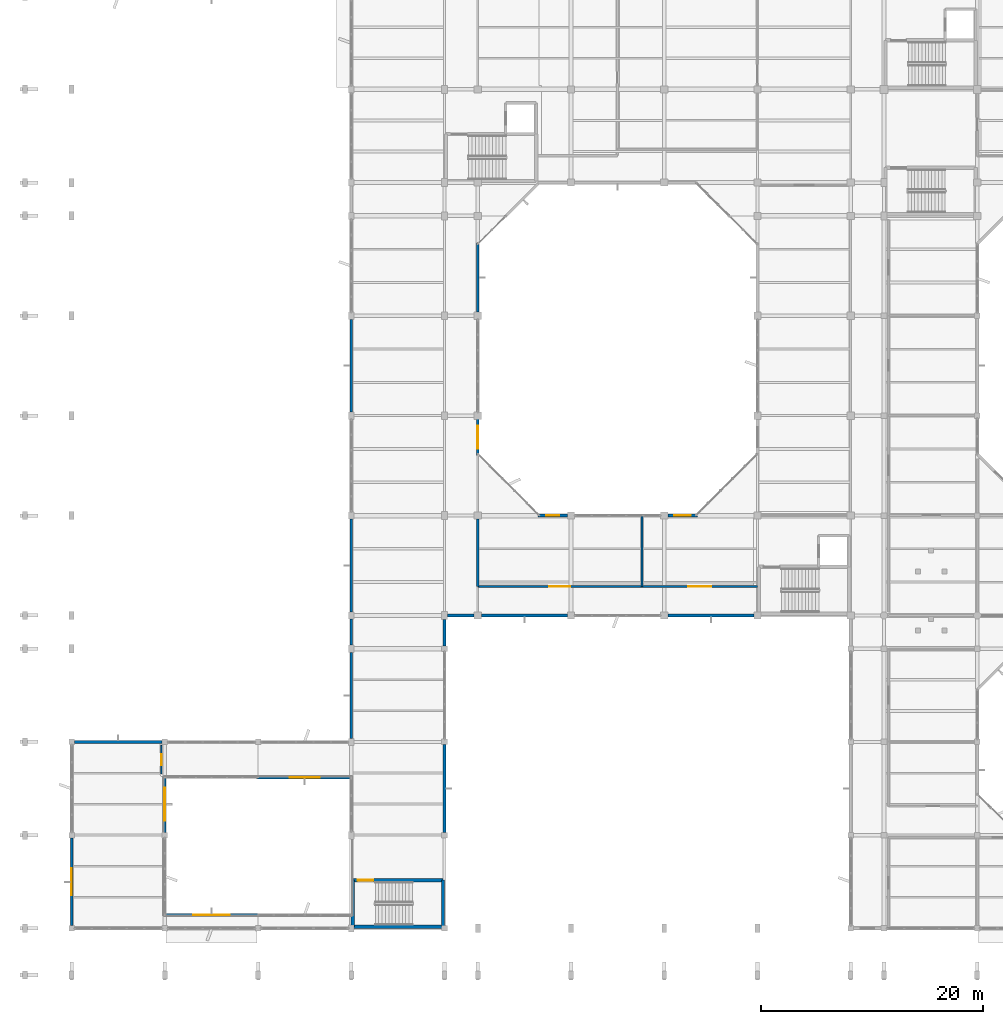
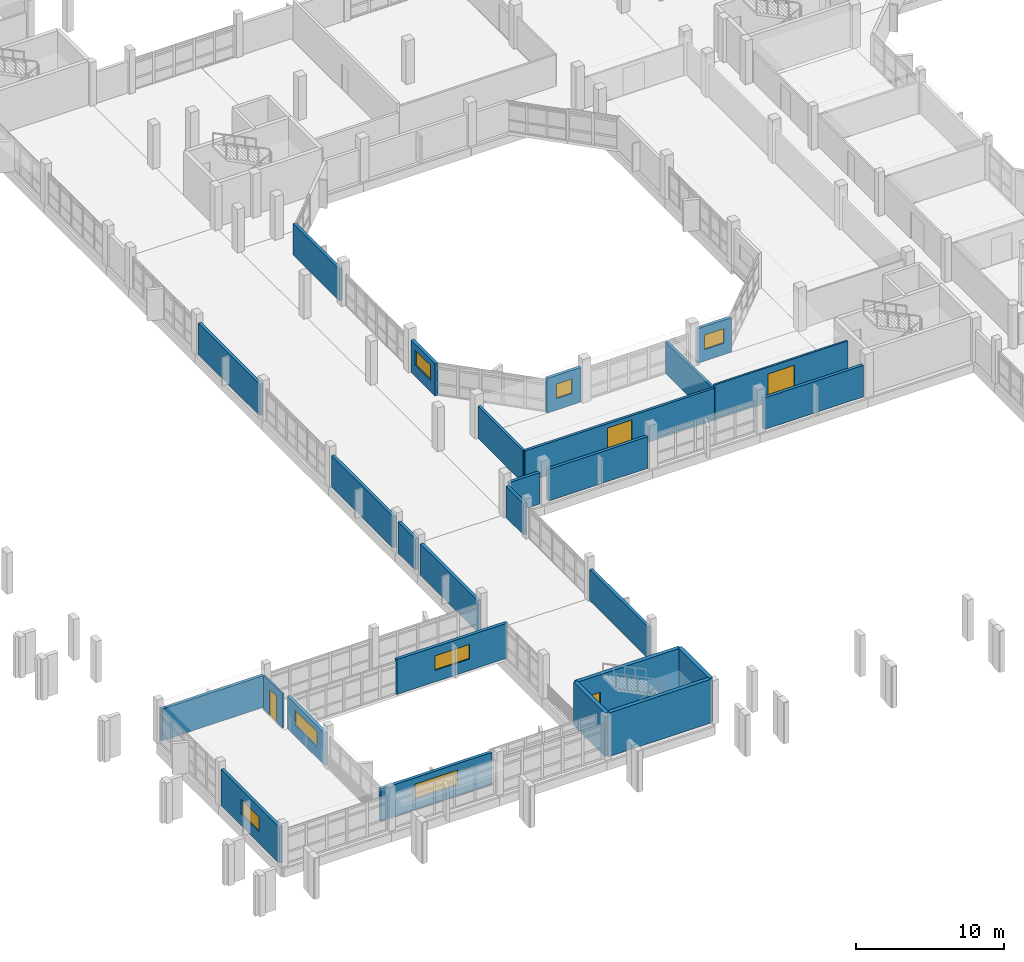
# One storey, part 65 of 104: 27 walls, 7 windows, 4 doors, 11 openings.
"""IFC4 building model written with IfcOpenShell, lengths in metres."""

from ifc_helpers import new_model, si_unit, direction, frame, frame_2d, origin, place, context, subcontext, project, spatial, rectangle, extrude, material, layer, layer_set, type_object, element, fill, save


model = new_model("IFC4")

# Units and contexts
model_context = context("Model", 3, precision=1e-05, world=origin(), true_north=direction((0.0, 1.0)))
body_context = subcontext(model_context, "Body", "Model", "MODEL_VIEW")
ifc_project = project(units=[si_unit("LENGTHUNIT", "METRE"), si_unit("AREAUNIT", "SQUARE_METRE"), si_unit("VOLUMEUNIT", "CUBIC_METRE"), si_unit("PLANEANGLEUNIT", "RADIAN"), si_unit("MASSUNIT", "GRAM", prefix="KILO")], contexts=[model_context])

# Site, building, storey
site_placement = place(None, origin())
site = spatial("IfcSite", under=ifc_project, at=site_placement, CompositionType="ELEMENT")
building_placement = place(site_placement, origin())
building = spatial("IfcBuilding", under=site, at=building_placement, Name="Vanh Quang Courtyard School", CompositionType="ELEMENT")
storey_placement = place(building_placement, frame((0.0, 0.0, 4.199951171875)))
storey = spatial("IfcBuildingStorey", under=building, at=storey_placement, Name="L01", CompositionType="ELEMENT", Elevation=4.199951171875)

# Wall
ifc_material_1 = material(Name="Concrete C30/37", Category="concrete")
ifc_layer_1 = layer(ifc_material_1, 0.199951171875)
ifc_layer_set_1 = layer_set([ifc_layer_1], Name="Concrete C30/37")
wall_type_1 = type_object("IfcWallType", Name="W-COMP-200", PredefinedType="PARTITIONING", material=ifc_layer_set_1)
wall_1_placement = place(storey_placement, frame((55.60009765625, 41.39990234375, 0.0), z_axis=(0.0, 0.0, 1.0), x_axis=(0.0, -1.0, 0.0)))
element("IfcWall", 1, at=wall_1_placement, inside=storey, type_object=wall_type_1, Name="Wall W-COMP1 (L01)", PredefinedType="PARTITIONING", context=body_context, shape_type="SweptSolid", body=[
    extrude(rectangle(XDim=6.39990234375, YDim=0.199951171875, at=frame_2d((3.199951171875, 0.0))), origin(), (0.0, 0.0, 1.0), 2.60009765625),
])

# Wall, opening, door
wall_2_placement = place(storey_placement, frame((55.60009765625, 35.0, 0.0), z_axis=(0.0, 0.0, 1.0), x_axis=(-1.0, 0.0, 0.0)))
wall_2 = element("IfcWall", 2, at=wall_2_placement, inside=storey, type_object=wall_type_1, Name="Wall W-COMP1 (L01)", PredefinedType="PARTITIONING", context=body_context, shape_type="SweptSolid", body=[
    extrude(rectangle(XDim=14.800048828125, YDim=0.199951171875, at=frame_2d((7.39990234375, 0.0))), origin(), (0.0, 0.0, 1.0), 2.650146484375),
])
opening_1_placement = place(wall_2_placement, frame((6.449951171875, 0.0, 0.0)))
opening_1 = element("IfcOpeningElement", 3, at=opening_1_placement, cuts=wall_2, Name="Opening L01-D058", PredefinedType="OPENING", context=body_context, shape_type="SweptSolid", body=[
    extrude(rectangle(XDim=1.89990234375, YDim=2.300048828125, at=frame_2d((0.949951171875, 1.14990234375))), frame((0.0, 0.10986328125, 0.0), z_axis=(0.0, -1.0, 0.0), x_axis=(1.0, 0.0, 0.0)), (0.0, 0.0, 1.0), 0.219970703125),
])
ifc_material_2 = material(Name="Painted galvanised steel fire door", Category="steel")
door_type_1 = type_object("IfcDoorType", Name="IDR-HAL-1900x2300", OperationType="NOTDEFINED", PredefinedType="DOOR", material=ifc_material_2)
door_1_placement = place(opening_1_placement, origin())
door_1 = element("IfcDoor", 4, at=door_1_placement, inside=storey, type_object=door_type_1, Name="Door L01-D058 (L01)", OperationType="DOUBLE_DOOR_SINGLE_SWING", OverallHeight=2.300048828125, OverallWidth=1.89990234375, PredefinedType="DOOR", context=body_context, shape_type="SweptSolid", body=[
    extrude(rectangle(XDim=1.89990234375, YDim=2.300048828125, at=frame_2d((0.949951171875, 1.14990234375))), frame((0.0, 0.02490234375, 0.0), z_axis=(0.0, -1.0, 0.0), x_axis=(1.0, 0.0, 0.0)), (0.0, 0.0, 1.0), 0.050048828125),
])
fill(opening_1, door_1)

# Walls
wall_3_placement = place(storey_placement, frame((40.800048828125, 35.0, 0.0), z_axis=(0.0, 0.0, 1.0), x_axis=(0.0, 1.0, 0.0)))
element("IfcWall", 5, at=wall_3_placement, inside=storey, type_object=wall_type_1, Name="Wall W-COMP1 (L01)", PredefinedType="PARTITIONING", context=body_context, shape_type="SweptSolid", body=[
    extrude(rectangle(XDim=6.076904296875, YDim=0.199951171875, at=frame_2d((3.03857421875, 0.0))), origin(), (0.0, 0.0, 1.0), 2.650146484375),
])
ifc_material_3 = material(Name="Concrete C35/45", Category="concrete")
ifc_layer_2 = layer(ifc_material_3, 0.300048828125)
ifc_layer_set_2 = layer_set([ifc_layer_2], Name="Concrete C35/45")
wall_type_2 = type_object("IfcWallType", Name="W-CORE-300", PredefinedType="SHEAR", material=ifc_layer_set_2)
wall_4_placement = place(storey_placement, frame((29.5400390625, 4.340087890625, 0.0), z_axis=(0.0, 0.0, 1.0), x_axis=(1.0, 0.0, 0.0)))
element("IfcWall", 6, at=wall_4_placement, inside=storey, type_object=wall_type_2, Name="Wall W-CORE1 (L01)", PredefinedType="SHEAR", context=body_context, shape_type="SweptSolid", body=[
    extrude(rectangle(XDim=8.119873046875, YDim=0.300048828125, at=frame_2d((4.06005859375, 0.0))), origin(), (0.0, 0.0, 1.0), 3.60009765625),
])
wall_5_placement = place(storey_placement, frame((37.659912109375, 4.340087890625, 0.0), z_axis=(0.0, 0.0, 1.0), x_axis=(0.0, 1.0, 0.0)))
element("IfcWall", 7, at=wall_5_placement, inside=storey, type_object=wall_type_2, Name="Wall W-CORE1 (L01)", PredefinedType="SHEAR", context=body_context, shape_type="SweptSolid", body=[
    extrude(rectangle(XDim=4.199951171875, YDim=0.300048828125, at=frame_2d((2.10009765625, 0.0))), origin(), (0.0, 0.0, 1.0), 3.60009765625),
])

# Wall, opening, door
wall_6_placement = place(storey_placement, frame((37.659912109375, 8.5400390625, 0.0), z_axis=(0.0, 0.0, 1.0), x_axis=(-1.0, 0.0, 0.0)))
wall_6 = element("IfcWall", 8, at=wall_6_placement, inside=storey, type_object=wall_type_2, Name="Wall W-CORE1 (L01)", PredefinedType="SHEAR", context=body_context, shape_type="SweptSolid", body=[
    extrude(rectangle(XDim=8.119873046875, YDim=0.300048828125, at=frame_2d((4.06005859375, 0.0))), origin(), (0.0, 0.0, 1.0), 3.60009765625),
])
opening_2_placement = place(wall_6_placement, frame((6.27001953125, 0.0, 0.0)))
opening_2 = element("IfcOpeningElement", 9, at=opening_2_placement, cuts=wall_6, Name="Opening L01-DS6", PredefinedType="OPENING", context=body_context, shape_type="SweptSolid", body=[
    extrude(rectangle(XDim=1.419921875, YDim=2.14990234375, at=frame_2d((0.7099609375, 1.074951171875))), frame((0.0, 0.16015625, 0.0), z_axis=(0.0, -1.0, 0.0), x_axis=(1.0, 0.0, 0.0)), (0.0, 0.0, 1.0), 0.320068359375),
])
door_type_2 = type_object("IfcDoorType", Name="IDR-ST-1420x2150", OperationType="NOTDEFINED", PredefinedType="DOOR", material=ifc_material_2)
door_2_placement = place(opening_2_placement, frame((1.419921875, 0.0, 0.0), z_axis=(0.0, 0.0, 1.0), x_axis=(-1.0, 0.0, 0.0)))
door_2 = element("IfcDoor", 10, at=door_2_placement, inside=storey, type_object=door_type_2, Name="Door L01-DS6 (L01)", OperationType="SINGLE_SWING_RIGHT", OverallHeight=2.14990234375, OverallWidth=1.419921875, PredefinedType="DOOR", context=body_context, shape_type="SweptSolid", body=[
    extrude(rectangle(XDim=1.419921875, YDim=2.14990234375, at=frame_2d((0.7099609375, 1.074951171875))), frame((0.0, 0.02490234375, 0.0), z_axis=(0.0, -1.0, 0.0), x_axis=(1.0, 0.0, 0.0)), (0.0, 0.0, 1.0), 0.050048828125),
])
fill(opening_2, door_2)

# Walls
wall_7_placement = place(storey_placement, frame((29.5400390625, 8.5400390625, 0.0), z_axis=(0.0, 0.0, 1.0), x_axis=(0.0, -1.0, 0.0)))
element("IfcWall", 11, at=wall_7_placement, inside=storey, type_object=wall_type_2, Name="Wall W-CORE1 (L01)", PredefinedType="SHEAR", context=body_context, shape_type="SweptSolid", body=[
    extrude(rectangle(XDim=4.199951171875, YDim=0.300048828125, at=frame_2d((2.10009765625, 0.0))), origin(), (0.0, 0.0, 1.0), 3.60009765625),
])
ifc_material_4 = material(Name="Precast concrete C40/50", Category="concrete")
ifc_layer_3 = layer(ifc_material_4, 0.239990234375)
ifc_layer_set_3 = layer_set([ifc_layer_3], Name="Precast concrete C40/50")
wall_type_3 = type_object("IfcWallType", Name="W-EXT-240", PredefinedType="SOLIDWALL", material=ifc_layer_set_3)
wall_8_placement = place(storey_placement, frame((29.39990234375, 21.322998046875, 0.0), z_axis=(0.0, 0.0, 1.0), x_axis=(0.0, 1.0, 0.0)))
element("IfcWall", 12, at=wall_8_placement, inside=storey, type_object=wall_type_3, Name="Wall WE-03 (L01)", PredefinedType="SOLIDWALL", context=body_context, shape_type="SweptSolid", body=[
    extrude(rectangle(XDim=7.75390625, YDim=0.239990234375, at=frame_2d((3.876953125, 0.0))), origin(), (0.0, 0.0, 1.0), 2.580078125),
])
wall_9_placement = place(storey_placement, frame((29.39990234375, 29.722900390625, 0.0), z_axis=(0.0, 0.0, 1.0), x_axis=(0.0, 1.0, 0.0)))
element("IfcWall", 13, at=wall_9_placement, inside=storey, type_object=wall_type_3, Name="Wall WE-03 (L01)", PredefinedType="SOLIDWALL", context=body_context, shape_type="SweptSolid", body=[
    extrude(rectangle(XDim=2.35400390625, YDim=0.239990234375, at=frame_2d((1.177001953125, 0.0))), origin(), (0.0, 0.0, 1.0), 2.580078125),
])
for number, where, z_axis, x_axis, name in (
    (14, (29.39990234375, 32.722900390625, 0.0), (0.0, 0.0, 1.0), (0.0, 1.0, 0.0), "Wall WE-03 (L01)"),
    (15, (29.39990234375, 50.722900390625, 0.0), (0.0, 0.0, 1.0), (0.0, 1.0, 0.0), "Wall WE-03 (L01)"),
):
    element("IfcWall", number, at=place(storey_placement, frame(where, z_axis=z_axis, x_axis=x_axis)), inside=storey, type_object=wall_type_3, Name=name, PredefinedType="SOLIDWALL", context=body_context, shape_type="SweptSolid", body=[
        extrude(rectangle(XDim=8.35400390625, YDim=0.239990234375, at=frame_2d((4.177001953125, 0.0))), origin(), (0.0, 0.0, 1.0), 2.580078125),
    ])
for number, where, z_axis, x_axis, name in (
    (16, (65.677001953125, 32.39990234375, 0.0), (0.0, 0.0, 1.0), (-1.0, 0.0, 0.0), "Wall WE-03 (L01)"),
    (17, (48.876953125, 32.39990234375, 0.0), (0.0, 0.0, 1.0), (-1.0, 0.0, 0.0), "Wall WE-03 (L01)"),
):
    element("IfcWall", number, at=place(storey_placement, frame(where, z_axis=z_axis, x_axis=x_axis)), inside=storey, type_object=wall_type_3, Name=name, PredefinedType="SOLIDWALL", context=body_context, shape_type="SweptSolid", body=[
        extrude(rectangle(XDim=7.75390625, YDim=0.239990234375, at=frame_2d((3.876953125, 0.0))), origin(), (0.0, 0.0, 1.0), 2.60009765625),
    ])
for number, where, z_axis, x_axis, name in (
    (18, (40.47705078125, 32.39990234375, 0.0), (0.0, 0.0, 1.0), (-1.0, 0.0, 0.0), "Wall WE-03 (L01)"),
    (19, (37.800048828125, 32.052001953125, 0.0), (0.0, 0.0, 1.0), (0.0, -1.0, 0.0), "Wall WE-03 (L01)"),
):
    element("IfcWall", number, at=place(storey_placement, frame(where, z_axis=z_axis, x_axis=x_axis)), inside=storey, type_object=wall_type_3, Name=name, PredefinedType="SOLIDWALL", context=body_context, shape_type="SweptSolid", body=[
        extrude(rectangle(XDim=2.404052734375, YDim=0.239990234375, at=frame_2d((1.2021484375, 0.0))), origin(), (0.0, 0.0, 1.0), 2.580078125),
    ])
wall_10_placement = place(storey_placement, frame((37.800048828125, 20.751953125, 0.0), z_axis=(0.0, 0.0, 1.0), x_axis=(0.0, -1.0, 0.0)))
element("IfcWall", 20, at=wall_10_placement, inside=storey, type_object=wall_type_3, Name="Wall WE-03 (L01)", PredefinedType="SOLIDWALL", context=body_context, shape_type="SweptSolid", body=[
    extrude(rectangle(XDim=7.904052734375, YDim=0.239990234375, at=frame_2d((3.9521484375, 0.0))), origin(), (0.0, 0.0, 1.0), 2.580078125),
])

# Wall, opening, window
wall_11_placement = place(storey_placement, frame((4.199951171875, 4.447998046875, 0.0), z_axis=(0.0, 0.0, 1.0), x_axis=(0.0, 1.0, 0.0)))
wall_11 = element("IfcWall", 21, at=wall_11_placement, inside=storey, type_object=wall_type_3, Name="Wall WE-03 (L01)", PredefinedType="SOLIDWALL", context=body_context, shape_type="SweptSolid", body=[
    extrude(rectangle(XDim=7.904052734375, YDim=0.239990234375, at=frame_2d((3.9521484375, 0.0))), origin(), (0.0, 0.0, 1.0), 2.9599609375),
])
opening_3_placement = place(wall_11_placement, frame((2.751953125, 0.0, 0.949951171875)))
opening_3 = element("IfcOpeningElement", 22, at=opening_3_placement, cuts=wall_11, Name="Opening WN-05", PredefinedType="OPENING", context=body_context, shape_type="SweptSolid", body=[
    extrude(rectangle(XDim=2.39990234375, YDim=1.199951171875, at=frame_2d((1.199951171875, 0.60009765625))), frame((0.0, 0.1298828125, 0.0), z_axis=(0.0, -1.0, 0.0), x_axis=(1.0, 0.0, 0.0)), (0.0, 0.0, 1.0), 0.260009765625),
])
ifc_material_5 = material(Name="Anodised aluminium and low-E double glazing", Category="aluminium")
window_type_1 = type_object("IfcWindowType", Name="WIN-TYP-05", PartitioningType="SINGLE_PANEL", PredefinedType="WINDOW", material=ifc_material_5)
window_1_placement = place(opening_3_placement, origin())
window_1 = element("IfcWindow", 23, at=window_1_placement, inside=storey, type_object=window_type_1, Name="Window WN-05 (L01)", OverallHeight=1.199951171875, OverallWidth=2.39990234375, PartitioningType="SINGLE_PANEL", PredefinedType="WINDOW", context=body_context, shape_type="SweptSolid", body=[
    extrude(rectangle(XDim=2.39990234375, YDim=1.199951171875, at=frame_2d((1.199951171875, 0.60009765625))), frame((0.0, 0.030029296875, 0.0), z_axis=(0.0, -1.0, 0.0), x_axis=(1.0, 0.0, 0.0)), (0.0, 0.0, 1.0), 0.06005859375),
])
fill(opening_3, window_1)

# Wall
wall_12_placement = place(storey_placement, frame((4.447998046875, 21.0, 0.0), z_axis=(0.0, 0.0, 1.0), x_axis=(1.0, 0.0, 0.0)))
element("IfcWall", 24, at=wall_12_placement, inside=storey, type_object=wall_type_3, Name="Wall WE-03 (L01)", PredefinedType="SOLIDWALL", context=body_context, shape_type="SweptSolid", body=[
    extrude(rectangle(XDim=7.904052734375, YDim=0.239990234375, at=frame_2d((3.9521484375, 0.0))), origin(), (0.0, 0.0, 1.0), 2.6201171875),
])

# Wall, opening, window
wall_13_placement = place(storey_placement, frame((29.52001953125, 17.800048828125, 0.0), z_axis=(0.0, 0.0, 1.0), x_axis=(-1.0, 0.0, 0.0)))
wall_13 = element("IfcWall", 25, at=wall_13_placement, inside=storey, type_object=wall_type_3, Name="Wall WE-03 (L01)", PredefinedType="SOLIDWALL", context=body_context, shape_type="SweptSolid", body=[
    extrude(rectangle(XDim=8.64013671875, YDim=0.239990234375, at=frame_2d((4.320068359375, 0.0))), origin(), (0.0, 0.0, 1.0), 2.880126953125),
])
opening_4_placement = place(wall_13_placement, frame((2.969970703125, 0.0, 0.949951171875)))
opening_4 = element("IfcOpeningElement", 26, at=opening_4_placement, cuts=wall_13, Name="Opening WN-06", PredefinedType="OPENING", context=body_context, shape_type="SweptSolid", body=[
    extrude(rectangle(XDim=2.699951171875, YDim=1.199951171875, at=frame_2d((1.35009765625, 0.60009765625))), frame((0.0, 0.1298828125, 0.0), z_axis=(0.0, -1.0, 0.0), x_axis=(1.0, 0.0, 0.0)), (0.0, 0.0, 1.0), 0.260009765625),
])
window_type_2 = type_object("IfcWindowType", Name="WIN-TYP-06", PartitioningType="SINGLE_PANEL", PredefinedType="WINDOW", material=ifc_material_5)
window_2_placement = place(opening_4_placement, origin())
window_2 = element("IfcWindow", 27, at=window_2_placement, inside=storey, type_object=window_type_2, Name="Window WN-06 (L01)", OverallHeight=1.199951171875, OverallWidth=2.699951171875, PartitioningType="SINGLE_PANEL", PredefinedType="WINDOW", context=body_context, shape_type="SweptSolid", body=[
    extrude(rectangle(XDim=2.699951171875, YDim=1.199951171875, at=frame_2d((1.35009765625, 0.60009765625))), frame((0.0, 0.030029296875, 0.0), z_axis=(0.0, -1.0, 0.0), x_axis=(1.0, 0.0, 0.0)), (0.0, 0.0, 1.0), 0.06005859375),
])
fill(opening_4, window_2)

wall_14_placement = place(storey_placement, frame((12.60009765625, 17.919921875, 0.0), z_axis=(0.0, 0.0, 1.0), x_axis=(0.0, -1.0, 0.0)))
wall_14 = element("IfcWall", 28, at=wall_14_placement, inside=storey, type_object=wall_type_3, Name="Wall WE-03 (L01)", PredefinedType="SOLIDWALL", context=body_context, shape_type="SweptSolid", body=[
    extrude(rectangle(XDim=5.072021484375, YDim=0.239990234375, at=frame_2d((2.5361328125, 0.0))), origin(), (0.0, 0.0, 1.0), 2.670166015625),
])
opening_5_placement = place(wall_14_placement, frame((1.035888671875, 0.0, 0.949951171875)))
opening_5 = element("IfcOpeningElement", 29, at=opening_5_placement, cuts=wall_14, Name="Opening WN-07", PredefinedType="OPENING", context=body_context, shape_type="SweptSolid", body=[
    extrude(rectangle(XDim=3.0, YDim=1.199951171875, at=frame_2d((1.5, 0.60009765625))), frame((0.0, 0.1298828125, 0.0), z_axis=(0.0, -1.0, 0.0), x_axis=(1.0, 0.0, 0.0)), (0.0, 0.0, 1.0), 0.260009765625),
])
window_type_3 = type_object("IfcWindowType", Name="WIN-TYP-07", PartitioningType="SINGLE_PANEL", PredefinedType="WINDOW", material=ifc_material_5)
window_3_placement = place(opening_5_placement, origin())
window_3 = element("IfcWindow", 30, at=window_3_placement, inside=storey, type_object=window_type_3, Name="Window WN-07 (L01)", OverallHeight=1.199951171875, OverallWidth=3.0, PartitioningType="SINGLE_PANEL", PredefinedType="WINDOW", context=body_context, shape_type="SweptSolid", body=[
    extrude(rectangle(XDim=3.0, YDim=1.199951171875, at=frame_2d((1.5, 0.60009765625))), frame((0.0, 0.030029296875, 0.0), z_axis=(0.0, -1.0, 0.0), x_axis=(1.0, 0.0, 0.0)), (0.0, 0.0, 1.0), 0.06005859375),
])
fill(opening_5, window_3)

wall_15_placement = place(storey_placement, frame((12.47998046875, 5.39990234375, 0.0), z_axis=(0.0, 0.0, 1.0), x_axis=(1.0, 0.0, 0.0)))
wall_15 = element("IfcWall", 31, at=wall_15_placement, inside=storey, type_object=wall_type_3, Name="Wall WE-03 (L01)", PredefinedType="SOLIDWALL", context=body_context, shape_type="SweptSolid", body=[
    extrude(rectangle(XDim=8.64013671875, YDim=0.239990234375, at=frame_2d((4.320068359375, 0.0))), origin(), (0.0, 0.0, 1.0), 2.670166015625),
])
opening_6_placement = place(wall_15_placement, frame((2.669921875, 0.0, 0.949951171875)))
opening_6 = element("IfcOpeningElement", 32, at=opening_6_placement, cuts=wall_15, Name="Opening WN-08", PredefinedType="OPENING", context=body_context, shape_type="SweptSolid", body=[
    extrude(rectangle(XDim=3.300048828125, YDim=1.199951171875, at=frame_2d((1.64990234375, 0.60009765625))), frame((0.0, 0.1298828125, 0.0), z_axis=(0.0, -1.0, 0.0), x_axis=(1.0, 0.0, 0.0)), (0.0, 0.0, 1.0), 0.260009765625),
])
window_type_4 = type_object("IfcWindowType", Name="WIN-TYP-08", PartitioningType="SINGLE_PANEL", PredefinedType="WINDOW", material=ifc_material_5)
window_4_placement = place(opening_6_placement, origin())
window_4 = element("IfcWindow", 33, at=window_4_placement, inside=storey, type_object=window_type_4, Name="Window WN-08 (L01)", OverallHeight=1.199951171875, OverallWidth=3.300048828125, PartitioningType="SINGLE_PANEL", PredefinedType="WINDOW", context=body_context, shape_type="SweptSolid", body=[
    extrude(rectangle(XDim=3.300048828125, YDim=1.199951171875, at=frame_2d((1.64990234375, 0.60009765625))), frame((0.0, 0.030029296875, 0.0), z_axis=(0.0, -1.0, 0.0), x_axis=(1.0, 0.0, 0.0)), (0.0, 0.0, 1.0), 0.06005859375),
])
fill(opening_6, window_4)

wall_16_placement = place(storey_placement, frame((46.22412109375, 41.39990234375, 0.0), z_axis=(0.0, 0.0, 1.0), x_axis=(1.0, 0.0, 0.0)))
wall_16 = element("IfcWall", 34, at=wall_16_placement, inside=storey, type_object=wall_type_3, Name="Wall WE-03 (L01)", PredefinedType="SOLIDWALL", context=body_context, shape_type="SweptSolid", body=[
    extrude(rectangle(XDim=2.65283203125, YDim=0.239990234375, at=frame_2d((1.326416015625, 0.0))), origin(), (0.0, 0.0, 1.0), 2.85009765625),
])
opening_7_placement = place(wall_16_placement, frame((0.7265625, 0.0, 0.949951171875)))
opening_7 = element("IfcOpeningElement", 35, at=opening_7_placement, cuts=wall_16, Name="Opening WN-01", PredefinedType="OPENING", context=body_context, shape_type="SweptSolid", body=[
    extrude(rectangle(XDim=1.199951171875, YDim=1.199951171875, at=frame_2d((0.60009765625, 0.60009765625))), frame((0.0, 0.1298828125, 0.0), z_axis=(0.0, -1.0, 0.0), x_axis=(1.0, 0.0, 0.0)), (0.0, 0.0, 1.0), 0.260009765625),
])
window_type_5 = type_object("IfcWindowType", Name="WIN-TYP-01", PartitioningType="SINGLE_PANEL", PredefinedType="WINDOW", material=ifc_material_5)
window_5_placement = place(opening_7_placement, origin())
window_5 = element("IfcWindow", 36, at=window_5_placement, inside=storey, type_object=window_type_5, Name="Window WN-01 (L01)", OverallHeight=1.199951171875, OverallWidth=1.199951171875, PartitioningType="SINGLE_PANEL", PredefinedType="WINDOW", context=body_context, shape_type="SweptSolid", body=[
    extrude(rectangle(XDim=1.199951171875, YDim=1.199951171875, at=frame_2d((0.60009765625, 0.60009765625))), frame((0.0, 0.030029296875, 0.0), z_axis=(0.0, -1.0, 0.0), x_axis=(1.0, 0.0, 0.0)), (0.0, 0.0, 1.0), 0.06005859375),
])
fill(opening_7, window_5)

wall_17_placement = place(storey_placement, frame((57.923095703125, 41.39990234375, 0.0), z_axis=(0.0, 0.0, 1.0), x_axis=(1.0, 0.0, 0.0)))
wall_17 = element("IfcWall", 37, at=wall_17_placement, inside=storey, type_object=wall_type_3, Name="Wall WE-03 (L01)", PredefinedType="SOLIDWALL", context=body_context, shape_type="SweptSolid", body=[
    extrude(rectangle(XDim=2.65283203125, YDim=0.239990234375, at=frame_2d((1.326416015625, 0.0))), origin(), (0.0, 0.0, 1.0), 2.85009765625),
])
opening_8_placement = place(wall_17_placement, frame((0.576416015625, 0.0, 0.949951171875)))
opening_8 = element("IfcOpeningElement", 38, at=opening_8_placement, cuts=wall_17, Name="Opening WN-02", PredefinedType="OPENING", context=body_context, shape_type="SweptSolid", body=[
    extrude(rectangle(XDim=1.5, YDim=1.199951171875, at=frame_2d((0.75, 0.60009765625))), frame((0.0, 0.1298828125, 0.0), z_axis=(0.0, -1.0, 0.0), x_axis=(1.0, 0.0, 0.0)), (0.0, 0.0, 1.0), 0.260009765625),
])
window_type_6 = type_object("IfcWindowType", Name="WIN-TYP-02", PartitioningType="SINGLE_PANEL", PredefinedType="WINDOW", material=ifc_material_5)
window_6_placement = place(opening_8_placement, origin())
window_6 = element("IfcWindow", 39, at=window_6_placement, inside=storey, type_object=window_type_6, Name="Window WN-02 (L01)", OverallHeight=1.199951171875, OverallWidth=1.5, PartitioningType="SINGLE_PANEL", PredefinedType="WINDOW", context=body_context, shape_type="SweptSolid", body=[
    extrude(rectangle(XDim=1.5, YDim=1.199951171875, at=frame_2d((0.75, 0.60009765625))), frame((0.0, 0.030029296875, 0.0), z_axis=(0.0, -1.0, 0.0), x_axis=(1.0, 0.0, 0.0)), (0.0, 0.0, 1.0), 0.06005859375),
])
fill(opening_8, window_6)

# Wall
wall_18_placement = place(storey_placement, frame((40.800048828125, 65.97607421875, 0.0), z_axis=(0.0, 0.0, 1.0), x_axis=(0.0, -1.0, 0.0)))
element("IfcWall", 40, at=wall_18_placement, inside=storey, type_object=wall_type_3, Name="Wall WE-03 (L01)", PredefinedType="SOLIDWALL", context=body_context, shape_type="SweptSolid", body=[
    extrude(rectangle(XDim=6.253173828125, YDim=0.239990234375, at=frame_2d((3.12646484375, 0.0))), origin(), (0.0, 0.0, 1.0), 2.60009765625),
])

# Wall, opening, window
wall_19_placement = place(storey_placement, frame((40.800048828125, 50.076904296875, 0.0), z_axis=(0.0, 0.0, 1.0), x_axis=(0.0, -1.0, 0.0)))
wall_19 = element("IfcWall", 41, at=wall_19_placement, inside=storey, type_object=wall_type_3, Name="Wall WE-03 (L01)", PredefinedType="SOLIDWALL", context=body_context, shape_type="SweptSolid", body=[
    extrude(rectangle(XDim=3.2529296875, YDim=0.239990234375, at=frame_2d((1.62646484375, 0.0))), origin(), (0.0, 0.0, 1.0), 2.650146484375),
])
opening_9_placement = place(wall_19_placement, frame((0.576416015625, 0.0, 0.949951171875)))
opening_9 = element("IfcOpeningElement", 42, at=opening_9_placement, cuts=wall_19, Name="Opening WN-04", PredefinedType="OPENING", context=body_context, shape_type="SweptSolid", body=[
    extrude(rectangle(XDim=2.10009765625, YDim=1.199951171875, at=frame_2d((1.050048828125, 0.60009765625))), frame((0.0, 0.1298828125, 0.0), z_axis=(0.0, -1.0, 0.0), x_axis=(1.0, 0.0, 0.0)), (0.0, 0.0, 1.0), 0.260009765625),
])
window_type_7 = type_object("IfcWindowType", Name="WIN-TYP-04", PartitioningType="SINGLE_PANEL", PredefinedType="WINDOW", material=ifc_material_5)
window_7_placement = place(opening_9_placement, origin())
window_7 = element("IfcWindow", 43, at=window_7_placement, inside=storey, type_object=window_type_7, Name="Window WN-04 (L01)", OverallHeight=1.199951171875, OverallWidth=2.10009765625, PartitioningType="SINGLE_PANEL", PredefinedType="WINDOW", context=body_context, shape_type="SweptSolid", body=[
    extrude(rectangle(XDim=2.10009765625, YDim=1.199951171875, at=frame_2d((1.050048828125, 0.60009765625))), frame((0.0, 0.030029296875, 0.0), z_axis=(0.0, -1.0, 0.0), x_axis=(1.0, 0.0, 0.0)), (0.0, 0.0, 1.0), 0.06005859375),
])
fill(opening_9, window_7)

# Wall, opening, door
ifc_material_6 = material(Name="Acoustic gypsum stud partition", Category="gypsum")
ifc_layer_4 = layer(ifc_material_6, 0.1201171875)
ifc_layer_set_4 = layer_set([ifc_layer_4], Name="Acoustic gypsum stud partition")
wall_type_4 = type_object("IfcWallType", Name="W-PART-120", PredefinedType="PARTITIONING", material=ifc_layer_set_4)
wall_20_placement = place(storey_placement, frame((12.2802734375, 20.679931640625, 0.0), z_axis=(0.0, 0.0, 1.0), x_axis=(0.000764306646, -0.999999707918, 0.0)))
wall_20 = element("IfcWall", 44, at=wall_20_placement, inside=storey, type_object=wall_type_4, Name="Wall W-PRT2 (L01)", PredefinedType="PARTITIONING", context=body_context, shape_type="SweptSolid", body=[
    extrude(rectangle(XDim=2.555419921875, YDim=0.1201171875, at=frame_2d((1.27783203125, 0.0))), origin(), (0.0, 0.0, 1.0), 2.820068359375),
])
opening_10_placement = place(wall_20_placement, frame((0.78759765625, 0.0, 0.0)))
opening_10 = element("IfcOpeningElement", 45, at=opening_10_placement, cuts=wall_20, Name="Opening L01-D055", PredefinedType="OPENING", context=body_context, shape_type="SweptSolid", body=[
    extrude(rectangle(XDim=0.97998046875, YDim=2.1201171875, at=frame_2d((0.489990234375, 1.06005859375))), frame((0.0, 0.070068359375, 0.0), z_axis=(0.0, -1.0, 0.0), x_axis=(1.0, 0.0, 0.0)), (0.0, 0.0, 1.0), 0.14013671875),
])
ifc_material_7 = material(Name="Solid-core hardwood acoustic door", Category="wood")
door_type_3 = type_object("IfcDoorType", Name="IDR-CLS-1050x2100", OperationType="NOTDEFINED", PredefinedType="DOOR", material=ifc_material_7)
door_3_placement = place(opening_10_placement, origin())
door_3 = element("IfcDoor", 46, at=door_3_placement, inside=storey, type_object=door_type_3, Name="Door L01-D055 (L01)", OperationType="SINGLE_SWING_RIGHT", OverallHeight=2.1201171875, OverallWidth=0.97998046875, PredefinedType="DOOR", context=body_context, shape_type="SweptSolid", body=[
    extrude(rectangle(XDim=0.97998046875, YDim=2.1201171875, at=frame_2d((0.489990234375, 1.06005859375))), frame((0.0, 0.02490234375, 0.0), z_axis=(0.0, -1.0, 0.0), x_axis=(1.0, 0.0, 0.0)), (0.0, 0.0, 1.0), 0.050048828125),
])
fill(opening_10, door_3)

ifc_material_8 = material(Name="Autoclaved aerated masonry blockwork", Category="masonry")
ifc_layer_5 = layer(ifc_material_8, 0.14990234375)
ifc_layer_set_5 = layer_set([ifc_layer_5], Name="Autoclaved aerated masonry blockwork")
wall_type_5 = type_object("IfcWallType", Name="W-PART-150", PredefinedType="PARTITIONING", material=ifc_layer_set_5)
wall_21_placement = place(storey_placement, frame((66.0, 35.0, 0.0), z_axis=(0.0, 0.0, 1.0), x_axis=(-1.0, 0.0, 0.0)))
wall_21 = element("IfcWall", 47, at=wall_21_placement, inside=storey, type_object=wall_type_5, Name="Wall W-PRT1 (L01)", PredefinedType="PARTITIONING", context=body_context, shape_type="SweptSolid", body=[
    extrude(rectangle(XDim=10.3798828125, YDim=0.14990234375, at=frame_2d((5.18994140625, 0.0))), origin(), (0.0, 0.0, 1.0), 2.900146484375),
])
opening_11_placement = place(wall_21_placement, frame((4.1650390625, 0.0, 0.0)))
opening_11 = element("IfcOpeningElement", 48, at=opening_11_placement, cuts=wall_21, Name="Opening L01-D059", PredefinedType="OPENING", context=body_context, shape_type="SweptSolid", body=[
    extrude(rectangle(XDim=2.050048828125, YDim=2.35009765625, at=frame_2d((1.02490234375, 1.175048828125))), frame((0.0, 0.0849609375, 0.0), z_axis=(0.0, -1.0, 0.0), x_axis=(1.0, 0.0, 0.0)), (0.0, 0.0, 1.0), 0.169921875),
])
door_type_4 = type_object("IfcDoorType", Name="IDR-HAL-2050x2350", OperationType="NOTDEFINED", PredefinedType="DOOR", material=ifc_material_2)
door_4_placement = place(opening_11_placement, origin())
door_4 = element("IfcDoor", 49, at=door_4_placement, inside=storey, type_object=door_type_4, Name="Door L01-D059 (L01)", OperationType="DOUBLE_DOOR_SINGLE_SWING", OverallHeight=2.35009765625, OverallWidth=2.050048828125, PredefinedType="DOOR", context=body_context, shape_type="SweptSolid", body=[
    extrude(rectangle(XDim=2.050048828125, YDim=2.35009765625, at=frame_2d((1.02490234375, 1.175048828125))), frame((0.0, 0.02490234375, 0.0), z_axis=(0.0, -1.0, 0.0), x_axis=(1.0, 0.0, 0.0)), (0.0, 0.0, 1.0), 0.050048828125),
])
fill(opening_11, door_4)

save(model, "model.ifc")
